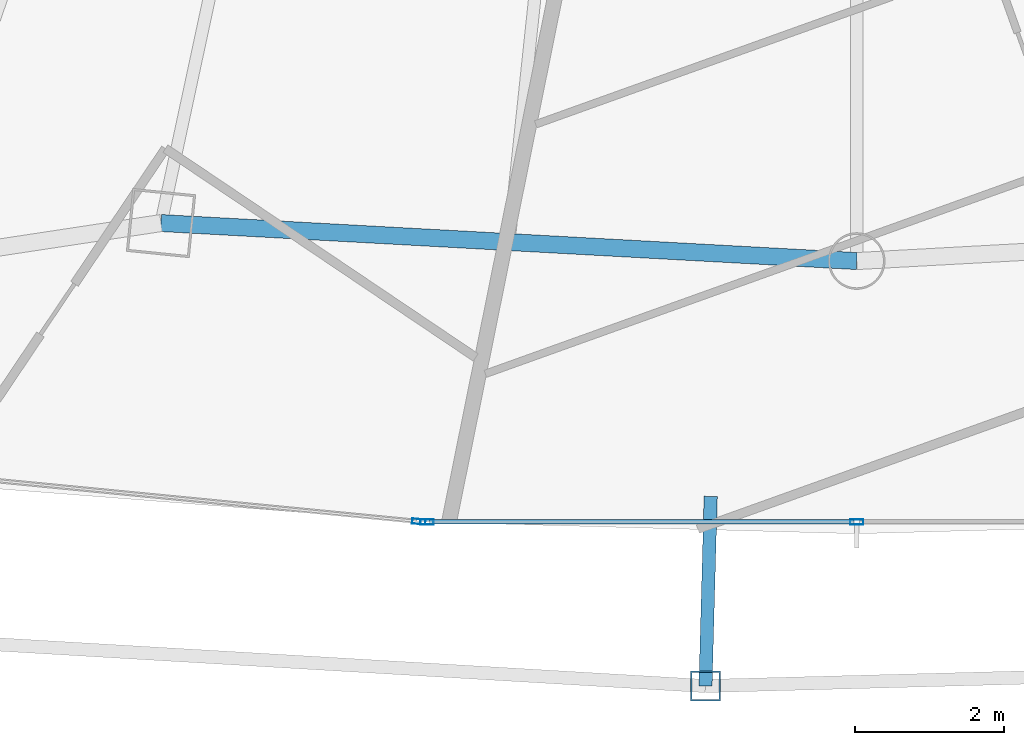
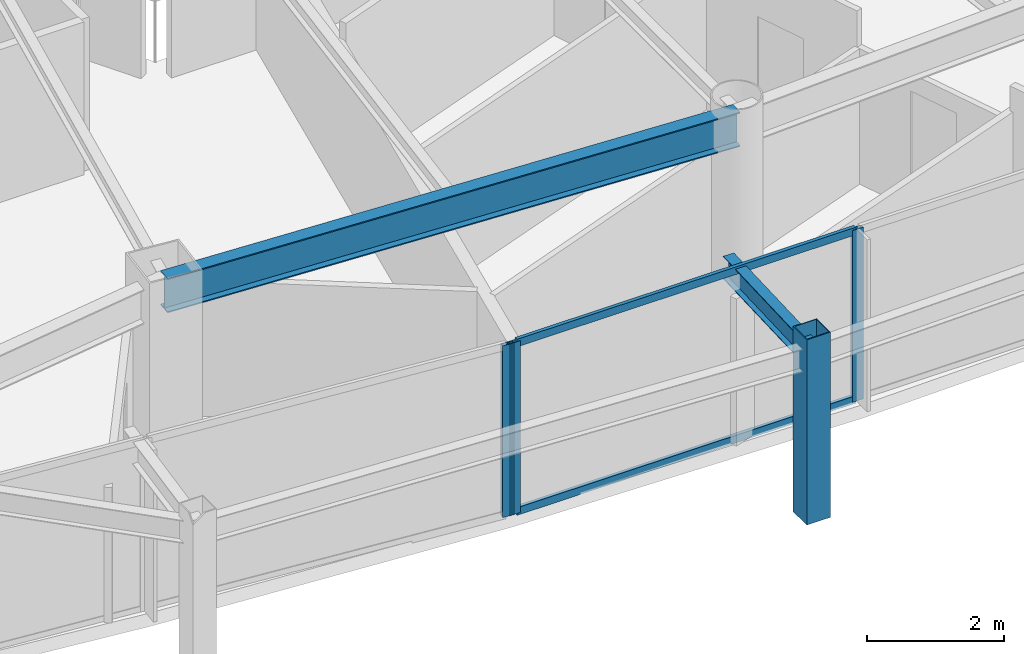
# One storey, part 7 of 30: 6 members, 2 beams, 2 elements without a shape of their own.
"""IFC4 building model written with IfcOpenShell, lengths in metres."""

import ifcopenshell
import ifcopenshell.guid

model = None  # the IFC model being written
_history = None  # IfcOwnerHistory: only IFC2X3 demands one
_inside = {}  # id of a spatial element -> (the spatial element, [elements in it])
_under = {}  # id of a project, library or spatial element -> (it, [spatial elements below it])
_declared = {}  # id of a project -> (the project, [libraries it declares])
_typed = {}  # id of a type object -> (the type object, [elements of that type])
_made_of = {}  # id of a material, layer set ... -> (it, [elements and type objects made of it])


def new_model(schema):
    """Start an empty IFC model of exactly this schema.

    Asked for "IFC4X3", IfcOpenShell would pick the latest addendum, in which some entities
    have other attributes; the version numbers below select the first issue.
    IFC2X3 requires an IfcOwnerHistory on every rooted entity: one is made here for all.
    """
    global model, _history
    if schema == "IFC4X3":
        model = ifcopenshell.file(schema_version=(4, 3, 0, 0))
    else:
        model = ifcopenshell.file(schema=schema)
    _inside.clear()
    _under.clear()
    _declared.clear()
    _typed.clear()
    _made_of.clear()
    _history = None
    if model.schema == "IFC2X3":
        org = make("IfcOrganization", Name="unknown")
        user = make(
            "IfcPersonAndOrganization",
            ThePerson=make("IfcPerson", FamilyName="unknown"),
            TheOrganization=org,
        )
        app = make(
            "IfcApplication",
            ApplicationDeveloper=org,
            Version="unknown",
            ApplicationFullName="unknown",
            ApplicationIdentifier="unknown",
        )
        _history = make(
            "IfcOwnerHistory",
            OwningUser=user,
            OwningApplication=app,
            ChangeAction="ADDED",
            CreationDate=0,
        )
    return model


def make(cls, **values):
    """One entity of the class cls with the attributes given. An attribute that is None is left unset."""
    return model.create_entity(
        cls, **{name: value for name, value in values.items() if value is not None}
    )


def rooted(cls, **values):
    """An entity with a GlobalId (a new one), such as an element, a storey or a relation."""
    return make(cls, GlobalId=ifcopenshell.guid.new(), OwnerHistory=_history, **values)


def si_unit(unit_type, name, prefix=None):
    """IfcSIUnit, for example si_unit("LENGTHUNIT", "METRE", prefix="MILLI")."""
    return make("IfcSIUnit", UnitType=unit_type, Prefix=prefix, Name=name)


def assignment(units):
    """IfcUnitAssignment: the units of a project."""
    return None if units is None else make("IfcUnitAssignment", Units=units)


def point(xyz):
    """IfcCartesianPoint."""
    return None if xyz is None else make("IfcCartesianPoint", Coordinates=xyz)


def direction(xyz):
    """IfcDirection."""
    return None if xyz is None else make("IfcDirection", DirectionRatios=xyz)


def frame(location, z_axis=None, x_axis=None):
    """IfcAxis2Placement3D, a coordinate frame: its origin and axes. An axis left out is left unset."""
    return make(
        "IfcAxis2Placement3D",
        Location=point(location),
        Axis=direction(z_axis),
        RefDirection=direction(x_axis),
    )


def frame_2d(location, x_axis=None):
    """IfcAxis2Placement2D, a coordinate frame in the plane: its origin and x axis."""
    return make(
        "IfcAxis2Placement2D", Location=point(location), RefDirection=direction(x_axis)
    )


def origin():
    """The frame at (0, 0, 0) with its axes left unset."""
    return frame((0.0, 0.0, 0.0))


def origin_2d():
    """The frame at (0, 0) in the plane with its x axis left unset."""
    return frame_2d((0.0, 0.0))


def place(relative_to, where):
    """IfcLocalPlacement: puts the frame where relative to a parent placement (None: the world)."""
    return make(
        "IfcLocalPlacement", PlacementRelTo=relative_to, RelativePlacement=where
    )


def context(
    kind, dimensions, precision=None, world=None, true_north=None, identifier=None
):
    """IfcGeometricRepresentationContext, for example the 3D "Model" context."""
    return make(
        "IfcGeometricRepresentationContext",
        ContextIdentifier=identifier,
        ContextType=kind,
        CoordinateSpaceDimension=dimensions,
        Precision=precision,
        WorldCoordinateSystem=world,
        TrueNorth=true_north,
    )


def subcontext(parent, identifier, kind, view, scale=None):
    """IfcGeometricRepresentationSubContext, for example "Body" below "Model"."""
    return make(
        "IfcGeometricRepresentationSubContext",
        ContextIdentifier=identifier,
        ContextType=kind,
        ParentContext=parent,
        TargetScale=scale,
        TargetView=view,
    )


def project(units=None, contexts=None):
    """IfcProject with its units and contexts."""
    return rooted(
        "IfcProject",
        Name="project",
        RepresentationContexts=contexts,
        UnitsInContext=assignment(units),
    )


def spatial(cls, under=None, at=None, **own):
    """A site, building, storey or space (cls), placed at a placement, below another one or the project."""
    s = rooted(cls, ObjectPlacement=at, **own)
    if under is not None:
        _under.setdefault(under.id(), (under, []))[1].append(s)
    return s


def profile(cls, at=None, kind="AREA", **sizes):
    """A parametric profile (cls). Its sizes go by their IFC names, for example OverallWidth=200.0."""
    return make(cls, ProfileType=kind, Position=at, **sizes)


def hollow_rectangle(**sizes):
    """IfcRectangleHollowProfileDef."""
    return profile("IfcRectangleHollowProfileDef", **sizes)


def i_section(**sizes):
    """IfcIShapeProfileDef."""
    return profile("IfcIShapeProfileDef", **sizes)


def extrude(swept, where, along, depth):
    """IfcExtrudedAreaSolid: the profile swept, set in the frame where, extruded along a direction by depth."""
    return make(
        "IfcExtrudedAreaSolid",
        SweptArea=swept,
        Position=where,
        ExtrudedDirection=direction(along),
        Depth=depth,
    )


def shape(context_of_items, identifier, shape_type, items):
    """IfcShapeRepresentation: the items that make up one representation, for example the "Body"."""
    return make(
        "IfcShapeRepresentation",
        ContextOfItems=context_of_items,
        RepresentationIdentifier=identifier,
        RepresentationType=shape_type,
        Items=items,
    )


def material(Name=None, Category=None):
    """IfcMaterial."""
    return make("IfcMaterial", Name=Name, Category=Category)


def layer(
    of_material, thickness, ventilated=None, Name=None, Category=None, Priority=None
):
    """IfcMaterialLayer: one layer of a wall or slab, of a material (None: an air gap)."""
    return make(
        "IfcMaterialLayer",
        Material=of_material,
        LayerThickness=thickness,
        IsVentilated=ventilated,
        Name=Name,
        Category=Category,
        Priority=Priority,
    )


def layer_set(layers, Name=None):
    """IfcMaterialLayerSet."""
    return make("IfcMaterialLayerSet", MaterialLayers=layers, LayerSetName=Name)


def material_profile(
    of_material, cross_section, Name=None, Category=None, Priority=None
):
    """IfcMaterialProfile: a cross section and its material."""
    return make(
        "IfcMaterialProfile",
        Name=Name,
        Material=of_material,
        Profile=cross_section,
        Priority=Priority,
        Category=Category,
    )


def profile_set(profiles, Name=None, composite=None):
    """IfcMaterialProfileSet."""
    return make(
        "IfcMaterialProfileSet",
        Name=Name,
        MaterialProfiles=profiles,
        CompositeProfile=composite,
    )


def made_of(thing, what):
    """Note that an element or type object is made of a material, layer set ...; save() writes the relation."""
    if what is not None:
        _made_of.setdefault(what.id(), (what, []))[1].append(thing)
    return thing


def type_object(cls, material=None, **own):
    """A type object (cls), such as IfcWallType, which elements share."""
    return made_of(rooted(cls, **own), material)


def element(
    cls,
    number,
    at=None,
    inside=None,
    cuts=None,
    type_object=None,
    material=None,
    context=None,
    identifier="Body",
    shape_type=None,
    held_by="IfcProductDefinitionShape",
    body=None,
    shapes=None,
    **own,
):
    """One element of the class cls, such as IfcWall. Its Tag is "e" and its number.

    at: its placement. inside: the storey or other place that contains it. cuts: it is an
    opening in that element (IfcRelVoidsElement). A single representation is given by context,
    identifier, shape_type and body (its items); several are given by shapes. held_by: the class
    of the entity that holds the representations. save() writes the other relations.
    """
    e = rooted(cls, Tag="e%d" % number, ObjectPlacement=at, **own)
    if body is not None:
        shapes = [shape(context, identifier, shape_type, body)]
    if shapes is not None:
        e.Representation = make(held_by, Representations=shapes)
    if inside is not None:
        _inside.setdefault(inside.id(), (inside, []))[1].append(e)
    if cuts is not None:
        rooted(
            "IfcRelVoidsElement", RelatingBuildingElement=cuts, RelatedOpeningElement=e
        )
    if type_object is not None:
        _typed.setdefault(type_object.id(), (type_object, []))[1].append(e)
    return made_of(e, material)


def aggregate(whole, parts):
    """IfcRelAggregates: a whole, such as a stair, and the parts it consists of."""
    return rooted("IfcRelAggregates", RelatingObject=whole, RelatedObjects=parts)


def save(model, path):
    """Write the relations noted so far, then the file.

    IfcRelAggregates (storeys below a building ...), IfcRelContainedInSpatialStructure (elements
    in a storey), IfcRelDefinesByType, IfcRelAssociatesMaterial and IfcRelDeclares: one each for
    every whole, place, type object, material and project.
    """
    for whole, parts in _under.values():
        aggregate(whole, parts)
    for where, things in _inside.values():
        rooted(
            "IfcRelContainedInSpatialStructure",
            RelatedElements=things,
            RelatingStructure=where,
        )
    for kind, things in _typed.values():
        rooted("IfcRelDefinesByType", RelatedObjects=things, RelatingType=kind)
    for what, things in _made_of.values():
        rooted("IfcRelAssociatesMaterial", RelatedObjects=things, RelatingMaterial=what)
    for by, libraries in _declared.values():
        rooted("IfcRelDeclares", RelatingContext=by, RelatedDefinitions=libraries)
    model.write(path)


model = new_model("IFC4")

# Units and contexts
model_context = context("Model", 3, precision=1e-05, world=origin(), true_north=direction((0.0, 1.0)))
body_context = subcontext(model_context, "Body", "Model", "MODEL_VIEW")
ifc_project = project(units=[si_unit("LENGTHUNIT", "METRE"), si_unit("AREAUNIT", "SQUARE_METRE"), si_unit("VOLUMEUNIT", "CUBIC_METRE"), si_unit("PLANEANGLEUNIT", "RADIAN"), si_unit("MASSUNIT", "GRAM", prefix="KILO")], contexts=[model_context])

# Site, building, storey
site_placement = place(None, origin())
site = spatial("IfcSite", under=ifc_project, at=site_placement, CompositionType="ELEMENT")
building_placement = place(site_placement, origin())
building = spatial("IfcBuilding", under=site, at=building_placement, Name="Orvanel Arch Residences", CompositionType="ELEMENT")
storey_placement = place(building_placement, frame((0.0, 0.0, 139.699951171875)))
storey = spatial("IfcBuildingStorey", under=building, at=storey_placement, Name="L39", CompositionType="ELEMENT", Elevation=139.699951171875)

# Curtain wall, member
ifc_material_1 = material(Name="Bronze-anodised aluminium AA6063-T6", Category="aluminium")
ifc_layer = layer(ifc_material_1, 0.179931640625)
ifc_layer_set = layer_set([ifc_layer], Name="Bronze-anodised aluminium AA6063-T6")
curtain_wall_type = type_object("IfcCurtainWallType", Name="CW3-MID-SYS", PredefinedType="NOTDEFINED", material=ifc_layer_set)
curtain_wall_1_placement = place(storey_placement, origin())
curtain_wall_1 = element("IfcCurtainWall", 1, at=curtain_wall_1_placement, inside=storey, type_object=curtain_wall_type, Name="L39 CW3-MID-SYS Unitised Curtain Wall", PredefinedType="NOTDEFINED")
ifc_material_profile_1 = material_profile(ifc_material_1, hollow_rectangle(XDim=0.070068359375, YDim=0.179931640625, WallThickness=0.00439453125, at=origin_2d()), Name="ALU180x70x4.5")
ifc_profile_set_1 = profile_set([ifc_material_profile_1], Name="Bronze-anodised aluminium AA6063-T6")
member_type_1 = type_object("IfcMemberType", Name="MUL-180x70", PredefinedType="MULLION", material=ifc_profile_set_1)
member_1_placement = place(storey_placement, frame((27.1142578125, 3.34228515625, 0.0), z_axis=(0.0, 0.0, 1.0), x_axis=(0.096603363992, 0.99532295767, 0.0)))
member_1 = element("IfcMember", 2, at=member_1_placement, type_object=member_type_1, Name="CW-S3 mullion 3", PredefinedType="MULLION", context=body_context, shape_type="SweptSolid", body=[
    extrude(hollow_rectangle(XDim=0.070068359375, YDim=0.179931640625, WallThickness=0.00439453125, at=origin_2d()), origin(), (0.0, 0.0, 1.0), 3.06005859375),
])
aggregate(curtain_wall_1, [member_1])

# Curtain wall, members
curtain_wall_2_placement = place(storey_placement, origin())
curtain_wall_2 = element("IfcCurtainWall", 3, at=curtain_wall_2_placement, inside=storey, type_object=curtain_wall_type, Name="L39 CW3-MID-SYS Unitised Curtain Wall", PredefinedType="NOTDEFINED")
member_2_placement = place(storey_placement, frame((27.22412109375, 3.3369140625, 0.0), z_axis=(0.0, 0.0, 1.0), x_axis=(0.0, 1.0, 0.0)))
member_2 = element("IfcMember", 4, at=member_2_placement, type_object=member_type_1, Name="CW-S3 mullion 1", PredefinedType="MULLION", context=body_context, shape_type="SweptSolid", body=[
    extrude(hollow_rectangle(XDim=0.070068359375, YDim=0.179931640625, WallThickness=0.00439453125, at=origin_2d()), origin(), (0.0, 0.0, 1.0), 3.06005859375),
])
member_3_placement = place(storey_placement, frame((33.0, 3.3369140625, 0.0), z_axis=(0.0, 0.0, 1.0), x_axis=(0.0, 1.0, 0.0)))
member_3 = element("IfcMember", 5, at=member_3_placement, type_object=member_type_1, Name="CW-S3 mullion 2", PredefinedType="MULLION", context=body_context, shape_type="SweptSolid", body=[
    extrude(hollow_rectangle(XDim=0.070068359375, YDim=0.179931640625, WallThickness=0.00439453125, at=origin_2d()), origin(), (0.0, 0.0, 1.0), 3.06005859375),
])

# Beams
ifc_material_2 = material(Name="Structural steel AS/NZS 3679.1 Grade 300 (300 MPa)", Category="steel")
ifc_material_profile_2 = material_profile(ifc_material_2, i_section(OverallWidth=0.177978515625, OverallDepth=0.406005859375, WebThickness=0.0078125, FlangeThickness=0.0126953125, at=origin_2d()), Name="410UB59.7")
ifc_profile_set_2 = profile_set([ifc_material_profile_2], Name="Structural steel AS/NZS 3679.1 Grade 300 (300 MPa)")
beam_type_1 = type_object("IfcBeamType", Name="OB-410UB-EXT", PredefinedType="SPANDREL", material=ifc_profile_set_2)
beam_1_placement = place(storey_placement, frame((31.037109375, 3.680908203125, 2.85693359375), z_axis=(-0.027480039764, -0.999622352398, 0.0), x_axis=(0.999622352398, -0.027480039764, 0.0)))
element("IfcBeam", 6, at=beam_1_placement, inside=storey, type_object=beam_type_1, Name="L39 Outer Frame Radial Tie Beam 06", PredefinedType="SPANDREL", context=body_context, shape_type="SweptSolid", body=[
    extrude(i_section(OverallWidth=0.177978515625, OverallDepth=0.406005859375, WebThickness=0.0078125, FlangeThickness=0.0126953125, at=origin_2d()), origin(), (0.0, 0.0, 1.0), 2.5498046875),
])
ifc_material_profile_3 = material_profile(ifc_material_2, i_section(OverallWidth=0.22900390625, OverallDepth=0.612060546875, WebThickness=0.011962890625, FlangeThickness=0.01953125, at=origin_2d()), Name="610UB125")
ifc_profile_set_3 = profile_set([ifc_material_profile_3], Name="Structural steel AS/NZS 3679.1 Grade 300 (300 MPa)")
beam_type_2 = type_object("IfcBeamType", Name="SP-610UB", PredefinedType="SPANDREL", material=ifc_profile_set_3)
beam_2_placement = place(storey_placement, frame((23.64892578125, 7.35498046875, 2.754150390625), z_axis=(0.998510315598, -0.054563262768, 0.0), x_axis=(0.054563262768, 0.998510315598, 0.0)))
element("IfcBeam", 7, at=beam_2_placement, inside=storey, type_object=beam_type_2, Name="L39 Perimeter Spandrel Beam 05", PredefinedType="SPANDREL", context=body_context, shape_type="SweptSolid", body=[
    extrude(i_section(OverallWidth=0.22900390625, OverallDepth=0.612060546875, WebThickness=0.011962890625, FlangeThickness=0.01953125, at=origin_2d()), origin(), (0.0, 0.0, 1.0), 9.364990234375),
])

# Member
ifc_material_3 = material(Name="Structural steel AS/NZS 1163 C450L0 (Grade 450)", Category="steel")
ifc_material_profile_4 = material_profile(ifc_material_3, hollow_rectangle(XDim=0.39990234375, YDim=0.39990234375, WallThickness=0.01611328125, at=origin_2d()), Name="SHS400x400x16")
ifc_profile_set_4 = profile_set([ifc_material_profile_4], Name="Structural steel AS/NZS 1163 C450L0 (Grade 450)")
member_type_2 = type_object("IfcMemberType", Name="ST-400SHS-EXT", PredefinedType="STRUT", material=ifc_profile_set_4)
member_4_placement = place(storey_placement, frame((30.967041015625, 1.132080078125, 0.0), z_axis=(0.0, 0.0, 1.0), x_axis=(1.0, 0.0, 0.0)))
element("IfcMember", 8, at=member_4_placement, inside=storey, type_object=member_type_2, Name="L39 Outer Perimeter Frame Post 06", PredefinedType="STRUT", context=body_context, shape_type="SweptSolid", body=[
    extrude(hollow_rectangle(XDim=0.39990234375, YDim=0.39990234375, WallThickness=0.01611328125, at=origin_2d()), origin(), (0.0, 0.0, 1.0), 3.300048828125),
])

ifc_material_profile_5 = material_profile(ifc_material_1, hollow_rectangle(XDim=0.06005859375, YDim=0.135009765625, WallThickness=0.00390625, at=origin_2d()), Name="ALU135x60x4")
ifc_profile_set_5 = profile_set([ifc_material_profile_5], Name="Bronze-anodised aluminium AA6063-T6")
member_type_3 = type_object("IfcMemberType", Name="TRN-135x60", PredefinedType="USERDEFINED", material=ifc_profile_set_5)
member_5_placement = place(storey_placement, frame((27.259033203125, 3.3369140625, 0.030029296875), z_axis=(1.0, 0.0, 0.0), x_axis=(0.0, 1.0, 0.0)))
member_5 = element("IfcMember", 9, at=member_5_placement, type_object=member_type_3, Name="CW-S3 transom 1.1", ObjectType="TRANSOM", PredefinedType="USERDEFINED", context=body_context, shape_type="SweptSolid", body=[
    extrude(hollow_rectangle(XDim=0.06005859375, YDim=0.135009765625, WallThickness=0.00390625, at=origin_2d()), origin(), (0.0, 0.0, 1.0), 5.7060546875),
])

member_6_placement = place(storey_placement, frame((27.259033203125, 3.3369140625, 3.030029296875), z_axis=(1.0, 0.0, 0.0), x_axis=(0.0, 1.0, 0.0)))
member_6 = element("IfcMember", 10, at=member_6_placement, type_object=member_type_3, Name="CW-S3 transom 1.2", ObjectType="TRANSOM", PredefinedType="USERDEFINED", context=body_context, shape_type="SweptSolid", body=[
    extrude(hollow_rectangle(XDim=0.06005859375, YDim=0.135009765625, WallThickness=0.00390625, at=origin_2d()), origin(), (0.0, 0.0, 1.0), 5.7060546875),
])

aggregate(curtain_wall_2, [member_2, member_3, member_5, member_6])

save(model, "model.ifc")
